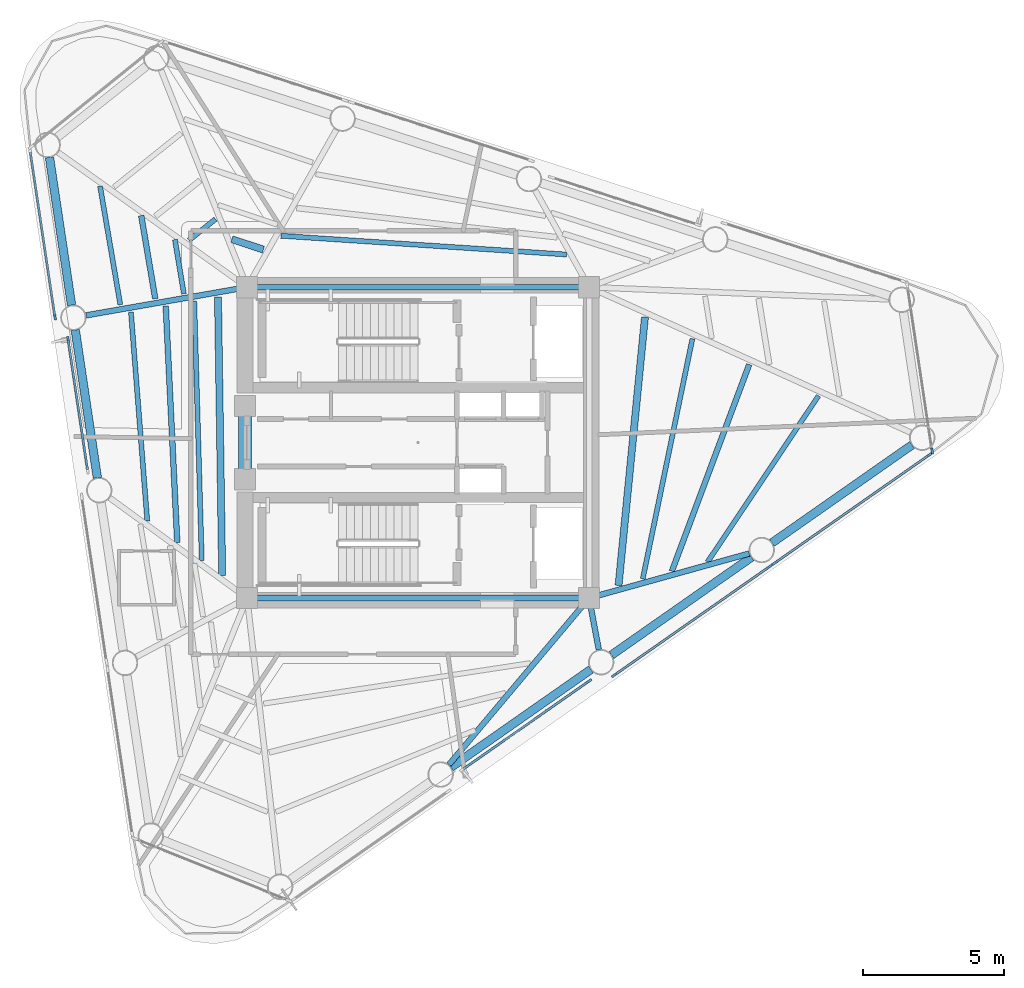
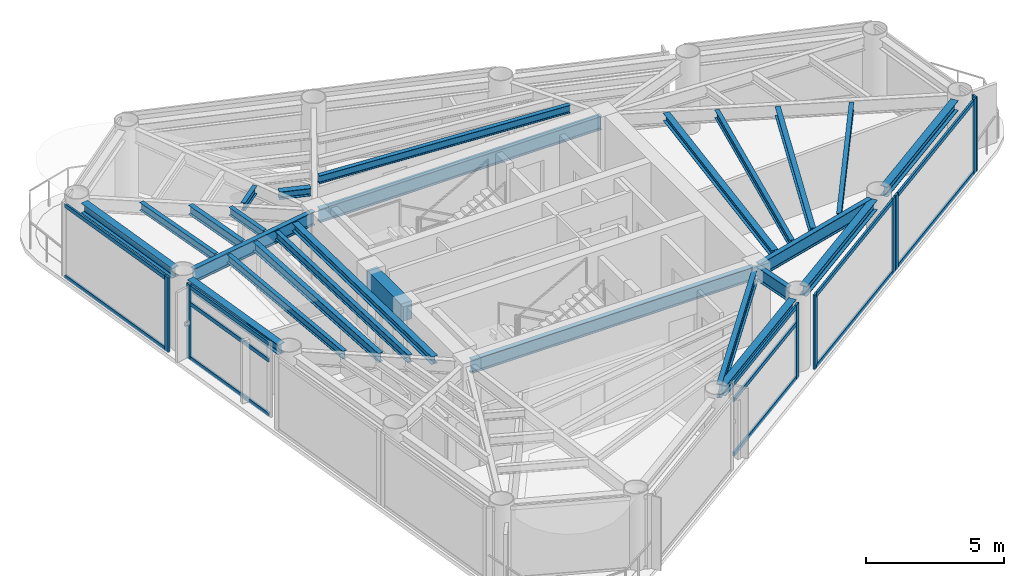
# One storey, part 2 of 10: 26 beams, 20 members, 6 elements without a shape of their own.
"""IFC4 building model written with IfcOpenShell, lengths in metres."""

from ifc_helpers import new_model, si_unit, direction, frame, origin, origin_2d, place, context, subcontext, project, spatial, rectangle, i_section, extrude, source, transform, mapped, material, layer, layer_set, material_profile, profile_set, type_object, element, aggregate, save


model = new_model("IFC4")

# Units and contexts
model_context = context("Model", 3, precision=1e-05, world=origin(), true_north=direction((0.0, 1.0)))
body_context = subcontext(model_context, "Body", "Model", "MODEL_VIEW")
ifc_project = project(units=[si_unit("LENGTHUNIT", "METRE"), si_unit("AREAUNIT", "SQUARE_METRE"), si_unit("VOLUMEUNIT", "CUBIC_METRE"), si_unit("PLANEANGLEUNIT", "RADIAN"), si_unit("MASSUNIT", "GRAM", prefix="KILO")], contexts=[model_context])

# Site, building, storey
site_placement = place(None, origin())
site = spatial("IfcSite", under=ifc_project, at=site_placement, CompositionType="ELEMENT")
building_placement = place(site_placement, origin())
building = spatial("IfcBuilding", under=site, at=building_placement, Name="Yunling Apex Tower", CompositionType="ELEMENT")
storey_placement = place(building_placement, frame((0.0, 0.0, 277.949951171875)))
storey = spatial("IfcBuildingStorey", under=building, at=storey_placement, Name="L68", CompositionType="ELEMENT", Elevation=277.949951171875)

# Beams
ifc_material_1 = material(Name="Concrete C40", Category="concrete")
ifc_material_profile_1 = material_profile(ifc_material_1, rectangle(XDim=0.449951171875, YDim=0.800048828125, at=origin_2d()))
ifc_profile_set_1 = profile_set([ifc_material_profile_1], Name="Concrete C40")
beam_type_1 = type_object("IfcBeamType", Name="BC-CPL-3", PredefinedType="BEAM", material=ifc_profile_set_1)
shared_shape_1 = source(origin(), body_context, "Body", "SweptSolid", [
    extrude(rectangle(XDim=0.449951171875, YDim=0.800048828125, at=origin_2d()), origin(), (0.0, 0.0, 1.0), 2.5),
])
beam_1_placement = place(storey_placement, frame((-6.125, -1.25, 2.820068359375), z_axis=(0.0, 1.0, 0.0), x_axis=(-1.0, 0.0, 0.0)))
element("IfcBeam", 1, at=beam_1_placement, inside=storey, type_object=beam_type_1, Name="L68 Core West Portal Coupling Beam", PredefinedType="BEAM", context=body_context, shape_type="MappedRepresentation", body=[
    mapped(shared_shape_1, transform((0.0, 0.0, 0.0), scale=1.0)),
])
ifc_material_2 = material(Name="Steel Q355B", Category="steel")
ifc_material_profile_2 = material_profile(ifc_material_2, i_section(OverallWidth=0.199951171875, OverallDepth=0.60009765625, WebThickness=0.010986328125, FlangeThickness=0.01708984375, FilletRadius=0.02197265625, at=origin_2d()))
ifc_profile_set_2 = profile_set([ifc_material_profile_2], Name="Steel Q355B")
beam_type_2 = type_object("IfcBeamType", Name="BG-PRI-5", PredefinedType="USERDEFINED", material=ifc_profile_set_2)
shared_shape_2 = source(origin(), body_context, "Body", "SweptSolid", [
    extrude(i_section(OverallWidth=0.199951171875, OverallDepth=0.60009765625, WebThickness=0.010986328125, FlangeThickness=0.01708984375, FilletRadius=0.02197265625, at=origin_2d()), origin(), (0.0, 0.0, 1.0), 11.7998046875),
])
for number, where, z_axis, x_axis, name in (
    (2, (-5.89990234375, -5.5, 2.920166015625), (1.0, 0.0, 0.0), (0.0, 1.0, 0.0), "L68 Core Ring Tie Beam 1"),
    (3, (5.89990234375, 5.5, 2.920166015625), (-1.0, 0.0, 0.0), (0.0, -1.0, 0.0), "L68 Core Ring Tie Beam 3"),
):
    element("IfcBeam", number, at=place(storey_placement, frame(where, z_axis=z_axis, x_axis=x_axis)), inside=storey, type_object=beam_type_2, Name=name, ObjectType="GIRDER", PredefinedType="USERDEFINED", context=body_context, shape_type="MappedRepresentation", body=[
        mapped(shared_shape_2, transform((0.0, 0.0, 0.0), scale=1.0)),
    ])
ifc_material_profile_3 = material_profile(ifc_material_2, i_section(OverallWidth=0.300048828125, OverallDepth=0.43994140625, WebThickness=0.010986328125, FlangeThickness=0.01806640625, FilletRadius=0.02197265625, at=origin_2d()))
ifc_profile_set_3 = profile_set([ifc_material_profile_3], Name="Steel Q355B")
beam_type_3 = type_object("IfcBeamType", Name="BP-SPN-3", PredefinedType="SPANDREL", material=ifc_profile_set_3)
shared_shape_3 = source(origin(), body_context, "Body", "SweptSolid", [
    extrude(i_section(OverallWidth=0.300048828125, OverallDepth=0.43994140625, WebThickness=0.010986328125, FlangeThickness=0.01806640625, FilletRadius=0.02197265625, at=origin_2d()), origin(), (0.0, 0.0, 1.0), 6.043701171875),
])
for number, where, z_axis, x_axis, name in (
    (4, (1.160888671875, -11.490478515625, 3.0), (0.819546828705, 0.5730122124, 0.0), (-0.5730122124, 0.819546828705, 0.0), "L68 Perimeter Spandrel Beam 2"),
    (5, (6.841796875, -7.5185546875, 3.0), (0.819546828705, 0.5730122124, 0.0), (-0.5730122124, 0.819546828705, 0.0), "L68 Perimeter Spandrel Beam 3"),
    (6, (12.522705078125, -3.546630859375, 3.0), (0.819546828705, 0.5730122124, 0.0), (-0.5730122124, 0.819546828705, 0.0), "L68 Perimeter Spandrel Beam 4"),
):
    element("IfcBeam", number, at=place(storey_placement, frame(where, z_axis=z_axis, x_axis=x_axis)), inside=storey, type_object=beam_type_3, Name=name, PredefinedType="SPANDREL", context=body_context, shape_type="MappedRepresentation", body=[
        mapped(shared_shape_3, transform((0.0, 0.0, 0.0), scale=1.0)),
    ])
shared_shape_4 = source(origin(), body_context, "Body", "SweptSolid", [
    extrude(i_section(OverallWidth=0.300048828125, OverallDepth=0.43994140625, WebThickness=0.010986328125, FlangeThickness=0.01806640625, FilletRadius=0.02197265625, at=origin_2d()), origin(), (0.0, 0.0, 1.0), 5.289306640625),
])
for number, where, z_axis, x_axis, name in (
    (7, (-13.044189453125, 10.09326171875, 3.0), (0.147841619944, -0.989011049186, 0.0), (0.989011049186, 0.147841619944, 0.0), "L68 Perimeter Spandrel Beam 11"),
    (8, (-12.131103515625, 3.98388671875, 3.0), (0.147796471114, -0.989017797174, 0.0), (0.989017797174, 0.147796471114, 0.0), "L68 Perimeter Spandrel Beam 12"),
):
    element("IfcBeam", number, at=place(storey_placement, frame(where, z_axis=z_axis, x_axis=x_axis)), inside=storey, type_object=beam_type_3, Name=name, PredefinedType="SPANDREL", context=body_context, shape_type="MappedRepresentation", body=[
        mapped(shared_shape_4, transform((0.0, 0.0, 0.0), scale=1.0)),
    ])
shared_shape_5 = source(origin(), body_context, "Body", "SweptSolid", [
    extrude(i_section(OverallWidth=0.199951171875, OverallDepth=0.60009765625, WebThickness=0.010986328125, FlangeThickness=0.01708984375, FilletRadius=0.02197265625, at=origin_2d()), origin(), (0.0, 0.0, 1.0), 7.622314453125),
])
beam_2_placement = place(storey_placement, frame((1.091796875, -11.394287109375, 2.920166015625), z_axis=(0.64373126237, 0.765251633025, 0.0), x_axis=(-0.765251633025, 0.64373126237, 0.0)))
element("IfcBeam", 9, at=beam_2_placement, inside=storey, type_object=beam_type_2, Name="L68 Radial Primary Girder R02", ObjectType="GIRDER", PredefinedType="USERDEFINED", context=body_context, shape_type="MappedRepresentation", body=[
    mapped(shared_shape_5, transform((0.0, 0.0, 0.0), scale=1.0)),
])
shared_shape_6 = source(origin(), body_context, "Body", "SweptSolid", [
    extrude(i_section(OverallWidth=0.199951171875, OverallDepth=0.60009765625, WebThickness=0.010986328125, FlangeThickness=0.01708984375, FilletRadius=0.02197265625, at=origin_2d()), origin(), (0.0, 0.0, 1.0), 1.775146484375),
])
beam_3_placement = place(storey_placement, frame((6.393310546875, -7.322998046875, 2.920166015625), z_axis=(-0.185127194989, 0.982714567754, 0.0), x_axis=(-0.982714567754, -0.185127194989, 0.0)))
element("IfcBeam", 10, at=beam_3_placement, inside=storey, type_object=beam_type_2, Name="L68 Radial Primary Girder R03", ObjectType="GIRDER", PredefinedType="USERDEFINED", context=body_context, shape_type="MappedRepresentation", body=[
    mapped(shared_shape_6, transform((0.0, 0.0, 0.0), scale=1.0)),
])
shared_shape_7 = source(origin(), body_context, "Body", "SweptSolid", [
    extrude(i_section(OverallWidth=0.199951171875, OverallDepth=0.60009765625, WebThickness=0.010986328125, FlangeThickness=0.01708984375, FilletRadius=0.02197265625, at=origin_2d()), origin(), (0.0, 0.0, 1.0), 5.802490234375),
])
beam_4_placement = place(storey_placement, frame((11.717529296875, -3.923828125, 2.920166015625), z_axis=(-0.963437091081, -0.267934640405, 0.0), x_axis=(0.267934640405, -0.963437091081, 0.0)))
element("IfcBeam", 11, at=beam_4_placement, inside=storey, type_object=beam_type_2, Name="L68 Radial Primary Girder R04", ObjectType="GIRDER", PredefinedType="USERDEFINED", context=body_context, shape_type="MappedRepresentation", body=[
    mapped(shared_shape_7, transform((0.0, 0.0, 0.0), scale=1.0)),
])
shared_shape_8 = source(origin(), body_context, "Body", "SweptSolid", [
    extrude(i_section(OverallWidth=0.199951171875, OverallDepth=0.60009765625, WebThickness=0.010986328125, FlangeThickness=0.01708984375, FilletRadius=0.02197265625, at=origin_2d()), origin(), (0.0, 0.0, 1.0), 5.7021484375),
])
beam_5_placement = place(storey_placement, frame((-11.74560546875, 4.501953125, 2.920166015625), z_axis=(0.984994459553, 0.172585963073, 0.0), x_axis=(-0.172585963073, 0.984994459553, 0.0)))
element("IfcBeam", 12, at=beam_5_placement, inside=storey, type_object=beam_type_2, Name="L68 Radial Primary Girder R12", ObjectType="GIRDER", PredefinedType="USERDEFINED", context=body_context, shape_type="MappedRepresentation", body=[
    mapped(shared_shape_8, transform((0.0, 0.0, 0.0), scale=1.0)),
])
ifc_material_profile_4 = material_profile(ifc_material_2, i_section(OverallWidth=0.199951171875, OverallDepth=0.39990234375, WebThickness=0.008056640625, FlangeThickness=0.012939453125, FilletRadius=0.01611328125, at=origin_2d()))
ifc_profile_set_4 = profile_set([ifc_material_profile_4], Name="Steel Q355B")
beam_type_4 = type_object("IfcBeamType", Name="BS-SEC-4", PredefinedType="BEAM", material=ifc_profile_set_4)
shared_shape_9 = source(origin(), body_context, "Body", "SweptSolid", [
    extrude(i_section(OverallWidth=0.199951171875, OverallDepth=0.39990234375, WebThickness=0.008056640625, FlangeThickness=0.012939453125, FilletRadius=0.01611328125, at=origin_2d()), origin(), (0.0, 0.0, 1.0), 7.810546875),
])
beam_6_placement = place(storey_placement, frame((8.978515625, -4.551513671875, 3.02001953125), z_axis=(0.350554744198, 0.936542242144, 0.0), x_axis=(-0.936542242144, 0.350554744198, 0.0)))
element("IfcBeam", 13, at=beam_6_placement, inside=storey, type_object=beam_type_4, Name="L68 Composite Floor Beam BS-4", PredefinedType="BEAM", context=body_context, shape_type="MappedRepresentation", body=[
    mapped(shared_shape_9, transform((0.0, 0.0, 0.0), scale=1.0)),
])
ifc_material_profile_5 = material_profile(ifc_material_2, i_section(OverallWidth=0.175048828125, OverallDepth=0.35009765625, WebThickness=0.007080078125, FlangeThickness=0.010986328125, FilletRadius=0.013916015625, at=origin_2d()))
ifc_profile_set_5 = profile_set([ifc_material_profile_5], Name="Steel Q355B")
beam_type_5 = type_object("IfcBeamType", Name="BJ-JST-1", PredefinedType="JOIST", material=ifc_profile_set_5)
shared_shape_10 = source(origin(), body_context, "Body", "SweptSolid", [
    extrude(i_section(OverallWidth=0.175048828125, OverallDepth=0.35009765625, WebThickness=0.007080078125, FlangeThickness=0.010986328125, FilletRadius=0.013916015625, at=origin_2d()), origin(), (0.0, 0.0, 1.0), 7.07373046875),
])
beam_7_placement = place(storey_placement, frame((10.240966796875, -4.22607421875, 3.045166015625), z_axis=(0.555384960756, 0.831593377418, 0.0), x_axis=(-0.831593377418, 0.555384960756, 0.0)))
element("IfcBeam", 14, at=beam_7_placement, inside=storey, type_object=beam_type_5, Name="L68 Composite Floor Joist BJ1-4", PredefinedType="JOIST", context=body_context, shape_type="MappedRepresentation", body=[
    mapped(shared_shape_10, transform((0.0, 0.0, 0.0), scale=1.0)),
])
shared_shape_11 = source(origin(), body_context, "Body", "SweptSolid", [
    extrude(i_section(OverallWidth=0.175048828125, OverallDepth=0.35009765625, WebThickness=0.007080078125, FlangeThickness=0.010986328125, FilletRadius=0.013916015625, at=origin_2d()), origin(), (0.0, 0.0, 1.0), 8.68017578125),
])
beam_8_placement = place(storey_placement, frame((7.948486328125, -4.824462890625, 3.045166015625), z_axis=(0.202510736311, 0.97928004252, 0.0), x_axis=(-0.97928004252, 0.202510736311, 0.0)))
element("IfcBeam", 15, at=beam_8_placement, inside=storey, type_object=beam_type_5, Name="L68 Composite Floor Joist BJ3-4", PredefinedType="JOIST", context=body_context, shape_type="MappedRepresentation", body=[
    mapped(shared_shape_11, transform((0.0, 0.0, 0.0), scale=1.0)),
])
ifc_material_profile_6 = material_profile(ifc_material_2, i_section(OverallWidth=0.25, OverallDepth=0.340087890625, WebThickness=0.009033203125, FlangeThickness=0.013916015625, FilletRadius=0.01806640625, at=origin_2d()))
ifc_profile_set_6 = profile_set([ifc_material_profile_6], Name="Steel Q355B")
beam_type_6 = type_object("IfcBeamType", Name="BJ-JST-2", PredefinedType="JOIST", material=ifc_profile_set_6)
shared_shape_12 = source(origin(), body_context, "Body", "SweptSolid", [
    extrude(i_section(OverallWidth=0.25, OverallDepth=0.340087890625, WebThickness=0.009033203125, FlangeThickness=0.013916015625, FilletRadius=0.01806640625, at=origin_2d()), origin(), (0.0, 0.0, 1.0), 9.54052734375),
])
beam_9_placement = place(storey_placement, frame((7.093017578125, -5.05517578125, 3.050048828125), z_axis=(0.098008759691, 0.995185552057, 0.0), x_axis=(-0.995185552057, 0.098008759691, 0.0)))
element("IfcBeam", 16, at=beam_9_placement, inside=storey, type_object=beam_type_6, Name="L68 Composite Floor Joist BJ2-4", PredefinedType="JOIST", context=body_context, shape_type="MappedRepresentation", body=[
    mapped(shared_shape_12, transform((0.0, 0.0, 0.0), scale=1.0)),
])
shared_shape_13 = source(origin(), body_context, "Body", "SweptSolid", [
    extrude(i_section(OverallWidth=0.175048828125, OverallDepth=0.35009765625, WebThickness=0.007080078125, FlangeThickness=0.010986328125, FilletRadius=0.013916015625, at=origin_2d()), origin(), (0.0, 0.0, 1.0), 10.130615234375),
])
beam_10_placement = place(storey_placement, frame((5.254150390625, 6.654541015625, 3.045166015625), z_axis=(-0.997852458327, 0.065501690135, 0.0), x_axis=(-0.065501690135, -0.997852458327, 0.0)))
element("IfcBeam", 17, at=beam_10_placement, inside=storey, type_object=beam_type_5, Name="L68 Composite Floor Joist BJ3-8", PredefinedType="JOIST", context=body_context, shape_type="MappedRepresentation", body=[
    mapped(shared_shape_13, transform((0.0, 0.0, 0.0), scale=1.0)),
])
shared_shape_14 = source(origin(), body_context, "Body", "SweptSolid", [
    extrude(i_section(OverallWidth=0.25, OverallDepth=0.340087890625, WebThickness=0.009033203125, FlangeThickness=0.013916015625, FilletRadius=0.01806640625, at=origin_2d()), origin(), (0.0, 0.0, 1.0), 1.1728515625),
])
beam_11_placement = place(storey_placement, frame((-5.4775390625, 6.8291015625, 3.050048828125), z_axis=(-0.949595193506, 0.31347881662, 0.0), x_axis=(-0.31347881662, -0.949595193506, 0.0)))
element("IfcBeam", 18, at=beam_11_placement, inside=storey, type_object=beam_type_6, Name="L68 Composite Floor Joist BJ2-9", PredefinedType="JOIST", context=body_context, shape_type="MappedRepresentation", body=[
    mapped(shared_shape_14, transform((0.0, 0.0, 0.0), scale=1.0)),
])
shared_shape_15 = source(origin(), body_context, "Body", "SweptSolid", [
    extrude(i_section(OverallWidth=0.175048828125, OverallDepth=0.35009765625, WebThickness=0.007080078125, FlangeThickness=0.010986328125, FilletRadius=0.013916015625, at=origin_2d()), origin(), (0.0, 0.0, 1.0), 1.2021484375),
])
beam_12_placement = place(storey_placement, frame((-7.169921875, 7.9072265625, 3.045166015625), z_axis=(-0.781225299788, -0.624249173785, 0.0), x_axis=(0.624249173785, -0.781225299788, 0.0)))
element("IfcBeam", 19, at=beam_12_placement, inside=storey, type_object=beam_type_5, Name="L68 Composite Floor Joist BJ3-10", PredefinedType="JOIST", context=body_context, shape_type="MappedRepresentation", body=[
    mapped(shared_shape_15, transform((0.0, 0.0, 0.0), scale=1.0)),
])
shared_shape_16 = source(origin(), body_context, "Body", "SweptSolid", [
    extrude(i_section(OverallWidth=0.199951171875, OverallDepth=0.39990234375, WebThickness=0.008056640625, FlangeThickness=0.012939453125, FilletRadius=0.01611328125, at=origin_2d()), origin(), (0.0, 0.0, 1.0), 2.980712890625),
])
beam_13_placement = place(storey_placement, frame((-9.796630859375, 8.031982421875, 3.02001953125), z_axis=(0.166351127682, -0.986066581078, 0.0), x_axis=(0.986066581078, 0.166351127682, 0.0)))
element("IfcBeam", 20, at=beam_13_placement, inside=storey, type_object=beam_type_4, Name="L68 Composite Floor Beam BS-11", PredefinedType="BEAM", context=body_context, shape_type="MappedRepresentation", body=[
    mapped(shared_shape_16, transform((0.0, 0.0, 0.0), scale=1.0)),
])
shared_shape_17 = source(origin(), body_context, "Body", "SweptSolid", [
    extrude(i_section(OverallWidth=0.175048828125, OverallDepth=0.35009765625, WebThickness=0.007080078125, FlangeThickness=0.010986328125, FilletRadius=0.013916015625, at=origin_2d()), origin(), (0.0, 0.0, 1.0), 4.2548828125),
])
beam_14_placement = place(storey_placement, frame((-11.253173828125, 9.0703125, 3.045166015625), z_axis=(0.168352217176, -0.985726904864, 0.0), x_axis=(0.985726904864, 0.168352217176, 0.0)))
element("IfcBeam", 21, at=beam_14_placement, inside=storey, type_object=beam_type_5, Name="L68 Composite Floor Joist BJ1-11", PredefinedType="JOIST", context=body_context, shape_type="MappedRepresentation", body=[
    mapped(shared_shape_17, transform((0.0, 0.0, 0.0), scale=1.0)),
])
shared_shape_18 = source(origin(), body_context, "Body", "SweptSolid", [
    extrude(i_section(OverallWidth=0.175048828125, OverallDepth=0.35009765625, WebThickness=0.007080078125, FlangeThickness=0.010986328125, FilletRadius=0.013916015625, at=origin_2d()), origin(), (0.0, 0.0, 1.0), 1.93798828125),
])
beam_15_placement = place(storey_placement, frame((-8.605224609375, 7.18212890625, 3.045166015625), z_axis=(0.163009711077, -0.986624464573, 0.0), x_axis=(0.986624464573, 0.163009711077, 0.0)))
element("IfcBeam", 22, at=beam_15_placement, inside=storey, type_object=beam_type_5, Name="L68 Composite Floor Joist BJ3-11", PredefinedType="JOIST", context=body_context, shape_type="MappedRepresentation", body=[
    mapped(shared_shape_18, transform((0.0, 0.0, 0.0), scale=1.0)),
])
shared_shape_19 = source(origin(), body_context, "Body", "SweptSolid", [
    extrude(i_section(OverallWidth=0.199951171875, OverallDepth=0.39990234375, WebThickness=0.008056640625, FlangeThickness=0.012939453125, FilletRadius=0.01611328125, at=origin_2d()), origin(), (0.0, 0.0, 1.0), 8.388916015625),
])
beam_16_placement = place(storey_placement, frame((-8.929443359375, 4.834228515625, 3.02001953125), z_axis=(0.048573134041, -0.998819628687, 0.0), x_axis=(0.998819628687, 0.048573134041, 0.0)))
element("IfcBeam", 23, at=beam_16_placement, inside=storey, type_object=beam_type_4, Name="L68 Composite Floor Beam BS-12", PredefinedType="BEAM", context=body_context, shape_type="MappedRepresentation", body=[
    mapped(shared_shape_19, transform((0.0, 0.0, 0.0), scale=1.0)),
])
shared_shape_20 = source(origin(), body_context, "Body", "SweptSolid", [
    extrude(i_section(OverallWidth=0.175048828125, OverallDepth=0.35009765625, WebThickness=0.007080078125, FlangeThickness=0.010986328125, FilletRadius=0.013916015625, at=origin_2d()), origin(), (0.0, 0.0, 1.0), 7.416259765625),
])
beam_17_placement = place(storey_placement, frame((-10.160400390625, 4.6181640625, 3.045166015625), z_axis=(0.077952594819, -0.996957066759, 0.0), x_axis=(0.996957066759, 0.077952594819, 0.0)))
element("IfcBeam", 24, at=beam_17_placement, inside=storey, type_object=beam_type_5, Name="L68 Composite Floor Joist BJ1-12", PredefinedType="JOIST", context=body_context, shape_type="MappedRepresentation", body=[
    mapped(shared_shape_20, transform((0.0, 0.0, 0.0), scale=1.0)),
])
shared_shape_21 = source(origin(), body_context, "Body", "SweptSolid", [
    extrude(i_section(OverallWidth=0.175048828125, OverallDepth=0.35009765625, WebThickness=0.007080078125, FlangeThickness=0.010986328125, FilletRadius=0.013916015625, at=origin_2d()), origin(), (0.0, 0.0, 1.0), 9.189208984375),
])
beam_18_placement = place(storey_placement, frame((-7.92138671875, 5.01123046875, 3.045166015625), z_axis=(0.028986034605, -0.999579816622, 0.0), x_axis=(0.999579816622, 0.028986034605, 0.0)))
element("IfcBeam", 25, at=beam_18_placement, inside=storey, type_object=beam_type_5, Name="L68 Composite Floor Joist BJ3-12", PredefinedType="JOIST", context=body_context, shape_type="MappedRepresentation", body=[
    mapped(shared_shape_21, transform((0.0, 0.0, 0.0), scale=1.0)),
])
shared_shape_22 = source(origin(), body_context, "Body", "SweptSolid", [
    extrude(i_section(OverallWidth=0.25, OverallDepth=0.340087890625, WebThickness=0.009033203125, FlangeThickness=0.013916015625, FilletRadius=0.01806640625, at=origin_2d()), origin(), (0.0, 0.0, 1.0), 9.858642578125),
])
beam_19_placement = place(storey_placement, frame((-7.081298828125, 5.158935546875, 3.050048828125), z_axis=(0.015056743551, -0.999886640812, 0.0), x_axis=(0.999886640812, 0.015056743551, 0.0)))
element("IfcBeam", 26, at=beam_19_placement, inside=storey, type_object=beam_type_6, Name="L68 Composite Floor Joist BJ2-12", PredefinedType="JOIST", context=body_context, shape_type="MappedRepresentation", body=[
    mapped(shared_shape_22, transform((0.0, 0.0, 0.0), scale=1.0)),
])

# Curtain wall, member
ifc_material_3 = material(Name="Bronze anodised aluminium", Category="aluminium")
ifc_layer = layer(ifc_material_3, 0.219970703125)
ifc_layer_set = layer_set([ifc_layer], Name="Bronze anodised aluminium")
curtain_wall_type = type_object("IfcCurtainWallType", Name="CW-SYS-4", PredefinedType="NOTDEFINED", material=ifc_layer_set)
curtain_wall_1_placement = place(storey_placement, origin())
curtain_wall_1 = element("IfcCurtainWall", 27, at=curtain_wall_1_placement, inside=storey, type_object=curtain_wall_type, Name="CW-L68-F1-B2", PredefinedType="NOTDEFINED")
ifc_material_profile_7 = material_profile(ifc_material_3, rectangle(XDim=0.080078125, YDim=0.219970703125, at=origin_2d()))
ifc_profile_set_7 = profile_set([ifc_material_profile_7], Name="Bronze anodised aluminium")
member_type_1 = type_object("IfcMemberType", Name="CW-MUL-4", PredefinedType="MULLION", material=ifc_profile_set_7)
shared_shape_23 = source(origin(), body_context, "Body", "SweptSolid", [
    extrude(rectangle(XDim=0.080078125, YDim=0.219970703125, at=origin_2d()), origin(), (0.0, 0.0, 1.0), 3.320068359375),
])
member_1_placement = place(storey_placement, frame((6.04345703125, -8.44287109375, -0.050048828125), z_axis=(0.0, 0.0, 1.0), x_axis=(-0.57299879219, 0.819556211708, 0.0)))
member_1 = element("IfcMember", 28, at=member_1_placement, type_object=member_type_1, Name="CW-SYS-4 mullion 2", PredefinedType="MULLION", context=body_context, shape_type="MappedRepresentation", body=[
    mapped(shared_shape_23, transform((0.0, 0.0, 0.0), scale=1.0)),
])

# Curtain wall, members
curtain_wall_2_placement = place(storey_placement, origin())
curtain_wall_2 = element("IfcCurtainWall", 29, at=curtain_wall_2_placement, inside=storey, type_object=curtain_wall_type, Name="CW-L68-F1-B3", PredefinedType="NOTDEFINED")
member_2_placement = place(storey_placement, frame((6.94287109375, -8.228759765625, -0.050048828125), z_axis=(0.0, 0.0, 1.0), x_axis=(-0.573010322379, 0.81954815017, 0.0)))
member_2 = element("IfcMember", 30, at=member_2_placement, type_object=member_type_1, Name="CW-SYS-4 mullion 1", PredefinedType="MULLION", context=body_context, shape_type="MappedRepresentation", body=[
    mapped(shared_shape_23, transform((0.0, 0.0, 0.0), scale=1.0)),
])
member_3_placement = place(storey_placement, frame((12.42724609375, -4.394287109375, -0.050048828125), z_axis=(0.0, 0.0, 1.0), x_axis=(-0.573010322379, 0.81954815017, 0.0)))
member_3 = element("IfcMember", 31, at=member_3_placement, type_object=member_type_1, Name="CW-SYS-4 mullion 2", PredefinedType="MULLION", context=body_context, shape_type="MappedRepresentation", body=[
    mapped(shared_shape_23, transform((0.0, 0.0, 0.0), scale=1.0)),
])

curtain_wall_3_placement = place(storey_placement, origin())
curtain_wall_3 = element("IfcCurtainWall", 32, at=curtain_wall_3_placement, inside=storey, type_object=curtain_wall_type, Name="CW-L68-F1-B4", PredefinedType="NOTDEFINED")
member_4_placement = place(storey_placement, frame((12.623779296875, -4.2568359375, -0.050048828125), z_axis=(0.0, 0.0, 1.0), x_axis=(-0.573000403744, 0.819555084976, 0.0)))
member_4 = element("IfcMember", 33, at=member_4_placement, type_object=member_type_1, Name="CW-SYS-4 mullion 1", PredefinedType="MULLION", context=body_context, shape_type="MappedRepresentation", body=[
    mapped(shared_shape_23, transform((0.0, 0.0, 0.0), scale=1.0)),
])
member_5_placement = place(storey_placement, frame((18.108154296875, -0.42236328125, -0.050048828125), z_axis=(0.0, 0.0, 1.0), x_axis=(-0.573000403744, 0.819555084976, 0.0)))
member_5 = element("IfcMember", 34, at=member_5_placement, type_object=member_type_1, Name="CW-SYS-4 mullion 2", PredefinedType="MULLION", context=body_context, shape_type="MappedRepresentation", body=[
    mapped(shared_shape_23, transform((0.0, 0.0, 0.0), scale=1.0)),
])

# Curtain wall, member
curtain_wall_4_placement = place(storey_placement, origin())
curtain_wall_4 = element("IfcCurtainWall", 35, at=curtain_wall_4_placement, inside=storey, type_object=curtain_wall_type, Name="CW-L68-CRN1", PredefinedType="NOTDEFINED")
member_6_placement = place(storey_placement, frame((18.189208984375, -0.2978515625, -0.050048828125), z_axis=(0.0, 0.0, 1.0), x_axis=(-0.989016885218, -0.147802573571, 0.0)))
member_6 = element("IfcMember", 36, at=member_6_placement, type_object=member_type_1, Name="CW-SYS-4 mullion 1", PredefinedType="MULLION", context=body_context, shape_type="MappedRepresentation", body=[
    mapped(shared_shape_23, transform((0.0, 0.0, 0.0), scale=1.0)),
])
aggregate(curtain_wall_4, [member_6])

curtain_wall_5_placement = place(storey_placement, origin())
curtain_wall_5 = element("IfcCurtainWall", 37, at=curtain_wall_5_placement, inside=storey, type_object=curtain_wall_type, Name="CW-L68-F3-B1", PredefinedType="NOTDEFINED")
member_7_placement = place(storey_placement, frame((-12.847412109375, 4.447265625, -0.050048828125), z_axis=(0.0, 0.0, 1.0), x_axis=(0.989016174309, 0.147807330522, 0.0)))
member_7 = element("IfcMember", 38, at=member_7_placement, type_object=member_type_1, Name="CW-SYS-4 mullion 2", PredefinedType="MULLION", context=body_context, shape_type="MappedRepresentation", body=[
    mapped(shared_shape_23, transform((0.0, 0.0, 0.0), scale=1.0)),
])

curtain_wall_6_placement = place(storey_placement, origin())
curtain_wall_6 = element("IfcCurtainWall", 39, at=curtain_wall_6_placement, inside=storey, type_object=curtain_wall_type, Name="CW-L68-F3-B2", PredefinedType="NOTDEFINED")
member_8_placement = place(storey_placement, frame((-12.384033203125, 3.646728515625, -0.050048828125), z_axis=(0.0, 0.0, 1.0), x_axis=(0.989016661745, 0.147804068926, 0.0)))
member_8 = element("IfcMember", 40, at=member_8_placement, type_object=member_type_1, Name="CW-SYS-4 mullion 1", PredefinedType="MULLION", context=body_context, shape_type="MappedRepresentation", body=[
    mapped(shared_shape_23, transform((0.0, 0.0, 0.0), scale=1.0)),
])

# Member
ifc_material_profile_8 = material_profile(ifc_material_3, rectangle(XDim=0.080078125, YDim=0.169921875, at=origin_2d()))
ifc_profile_set_8 = profile_set([ifc_material_profile_8], Name="Bronze anodised aluminium")
member_type_2 = type_object("IfcMemberType", Name="CW-TRN-4", PredefinedType="USERDEFINED", material=ifc_profile_set_8)
shared_shape_24 = source(origin(), body_context, "Body", "SweptSolid", [
    extrude(rectangle(XDim=0.080078125, YDim=0.169921875, at=origin_2d()), origin(), (0.0, 0.0, 1.0), 6.61962890625),
])
member_9_placement = place(storey_placement, frame((12.6533203125, -4.236083984375, 0.0400390625), z_axis=(0.819567916002, 0.572982051255, 0.0), x_axis=(-0.572982051255, 0.819567916002, 0.0)))
member_9 = element("IfcMember", 41, at=member_9_placement, type_object=member_type_2, Name="CW-SYS-4 transom 1.1", ObjectType="TRANSOM", PredefinedType="USERDEFINED", context=body_context, shape_type="MappedRepresentation", body=[
    mapped(shared_shape_24, transform((0.0, 0.0, 0.0), scale=1.0)),
])

member_10_placement = place(storey_placement, frame((12.6533203125, -4.236083984375, 3.179931640625), z_axis=(0.819567916002, 0.572982051255, 0.0), x_axis=(-0.572982051255, 0.819567916002, 0.0)))
member_10 = element("IfcMember", 42, at=member_10_placement, type_object=member_type_2, Name="CW-SYS-4 transom 1.2", ObjectType="TRANSOM", PredefinedType="USERDEFINED", context=body_context, shape_type="MappedRepresentation", body=[
    mapped(shared_shape_24, transform((0.0, 0.0, 0.0), scale=1.0)),
])

aggregate(curtain_wall_3, [member_4, member_5, member_9, member_10])

shared_shape_25 = source(origin(), body_context, "Body", "SweptSolid", [
    extrude(rectangle(XDim=0.080078125, YDim=0.169921875, at=origin_2d()), origin(), (0.0, 0.0, 1.0), 5.379638671875),
])
member_11_placement = place(storey_placement, frame((1.60498046875, -11.546142578125, 0.0400390625), z_axis=(0.819557991913, 0.572996245966, 0.0), x_axis=(-0.572996245966, 0.819557991913, 0.0)))
member_11 = element("IfcMember", 43, at=member_11_placement, type_object=member_type_2, Name="CW-SYS-4 transom 1.1", ObjectType="TRANSOM", PredefinedType="USERDEFINED", context=body_context, shape_type="MappedRepresentation", body=[
    mapped(shared_shape_25, transform((0.0, 0.0, 0.0), scale=1.0)),
])

member_12_placement = place(storey_placement, frame((1.60498046875, -11.546142578125, 2.447265625), z_axis=(0.819557991913, 0.572996245966, 0.0), x_axis=(-0.572996245966, 0.819557991913, 0.0)))
member_12 = element("IfcMember", 44, at=member_12_placement, type_object=member_type_2, Name="CW-SYS-4 transom 1.2", ObjectType="TRANSOM", PredefinedType="USERDEFINED", context=body_context, shape_type="MappedRepresentation", body=[
    mapped(shared_shape_25, transform((0.0, 0.0, 0.0), scale=1.0)),
])

member_13_placement = place(storey_placement, frame((1.60498046875, -11.546142578125, 3.179931640625), z_axis=(0.819557991913, 0.572996245966, 0.0), x_axis=(-0.572996245966, 0.819557991913, 0.0)))
member_13 = element("IfcMember", 45, at=member_13_placement, type_object=member_type_2, Name="CW-SYS-4 transom 1.3", ObjectType="TRANSOM", PredefinedType="USERDEFINED", context=body_context, shape_type="MappedRepresentation", body=[
    mapped(shared_shape_25, transform((0.0, 0.0, 0.0), scale=1.0)),
])

aggregate(curtain_wall_1, [member_1, member_11, member_12, member_13])

shared_shape_26 = source(origin(), body_context, "Body", "SweptSolid", [
    extrude(rectangle(XDim=0.080078125, YDim=0.169921875, at=origin_2d()), origin(), (0.0, 0.0, 1.0), 6.619873046875),
])
member_14_placement = place(storey_placement, frame((6.972412109375, -8.208251953125, 0.0400390625), z_axis=(0.819550596795, 0.573006823077, 0.0), x_axis=(-0.573006823077, 0.819550596795, 0.0)))
member_14 = element("IfcMember", 46, at=member_14_placement, type_object=member_type_2, Name="CW-SYS-4 transom 1.1", ObjectType="TRANSOM", PredefinedType="USERDEFINED", context=body_context, shape_type="MappedRepresentation", body=[
    mapped(shared_shape_26, transform((0.0, 0.0, 0.0), scale=1.0)),
])

member_15_placement = place(storey_placement, frame((6.972412109375, -8.208251953125, 3.179931640625), z_axis=(0.819550596795, 0.573006823077, 0.0), x_axis=(-0.573006823077, 0.819550596795, 0.0)))
member_15 = element("IfcMember", 47, at=member_15_placement, type_object=member_type_2, Name="CW-SYS-4 transom 1.2", ObjectType="TRANSOM", PredefinedType="USERDEFINED", context=body_context, shape_type="MappedRepresentation", body=[
    mapped(shared_shape_26, transform((0.0, 0.0, 0.0), scale=1.0)),
])

aggregate(curtain_wall_2, [member_2, member_3, member_14, member_15])

shared_shape_27 = source(origin(), body_context, "Body", "SweptSolid", [
    extrude(rectangle(XDim=0.080078125, YDim=0.169921875, at=origin_2d()), origin(), (0.0, 0.0, 1.0), 5.865478515625),
])
member_16_placement = place(storey_placement, frame((-13.7197265625, 10.28369140625, 0.0400390625), z_axis=(0.147805126247, -0.989016503732, 0.0), x_axis=(0.989016503732, 0.147805126247, 0.0)))
member_16 = element("IfcMember", 48, at=member_16_placement, type_object=member_type_2, Name="CW-SYS-4 transom 1.1", ObjectType="TRANSOM", PredefinedType="USERDEFINED", context=body_context, shape_type="MappedRepresentation", body=[
    mapped(shared_shape_27, transform((0.0, 0.0, 0.0), scale=1.0)),
])

member_17_placement = place(storey_placement, frame((-13.7197265625, 10.28369140625, 3.179931640625), z_axis=(0.147805126247, -0.989016503732, 0.0), x_axis=(0.989016503732, 0.147805126247, 0.0)))
member_17 = element("IfcMember", 49, at=member_17_placement, type_object=member_type_2, Name="CW-SYS-4 transom 1.2", ObjectType="TRANSOM", PredefinedType="USERDEFINED", context=body_context, shape_type="MappedRepresentation", body=[
    mapped(shared_shape_27, transform((0.0, 0.0, 0.0), scale=1.0)),
])

aggregate(curtain_wall_5, [member_7, member_16, member_17])

shared_shape_28 = source(origin(), body_context, "Body", "SweptSolid", [
    extrude(rectangle(XDim=0.080078125, YDim=0.169921875, at=origin_2d()), origin(), (0.0, 0.0, 1.0), 4.625244140625),
])
member_18_placement = place(storey_placement, frame((-12.378662109375, 3.611328125, 0.0400390625), z_axis=(0.147795810874, -0.989017895838, 0.0), x_axis=(0.989017895838, 0.147795810874, 0.0)))
member_18 = element("IfcMember", 50, at=member_18_placement, type_object=member_type_2, Name="CW-SYS-4 transom 1.1", ObjectType="TRANSOM", PredefinedType="USERDEFINED", context=body_context, shape_type="MappedRepresentation", body=[
    mapped(shared_shape_28, transform((0.0, 0.0, 0.0), scale=1.0)),
])

member_19_placement = place(storey_placement, frame((-12.378662109375, 3.611328125, 2.447265625), z_axis=(0.147795810874, -0.989017895838, 0.0), x_axis=(0.989017895838, 0.147795810874, 0.0)))
member_19 = element("IfcMember", 51, at=member_19_placement, type_object=member_type_2, Name="CW-SYS-4 transom 1.2", ObjectType="TRANSOM", PredefinedType="USERDEFINED", context=body_context, shape_type="MappedRepresentation", body=[
    mapped(shared_shape_28, transform((0.0, 0.0, 0.0), scale=1.0)),
])

member_20_placement = place(storey_placement, frame((-12.378662109375, 3.611328125, 3.179931640625), z_axis=(0.147795810874, -0.989017895838, 0.0), x_axis=(0.989017895838, 0.147795810874, 0.0)))
member_20 = element("IfcMember", 52, at=member_20_placement, type_object=member_type_2, Name="CW-SYS-4 transom 1.3", ObjectType="TRANSOM", PredefinedType="USERDEFINED", context=body_context, shape_type="MappedRepresentation", body=[
    mapped(shared_shape_28, transform((0.0, 0.0, 0.0), scale=1.0)),
])

aggregate(curtain_wall_6, [member_8, member_18, member_19, member_20])

save(model, "model.ifc")
